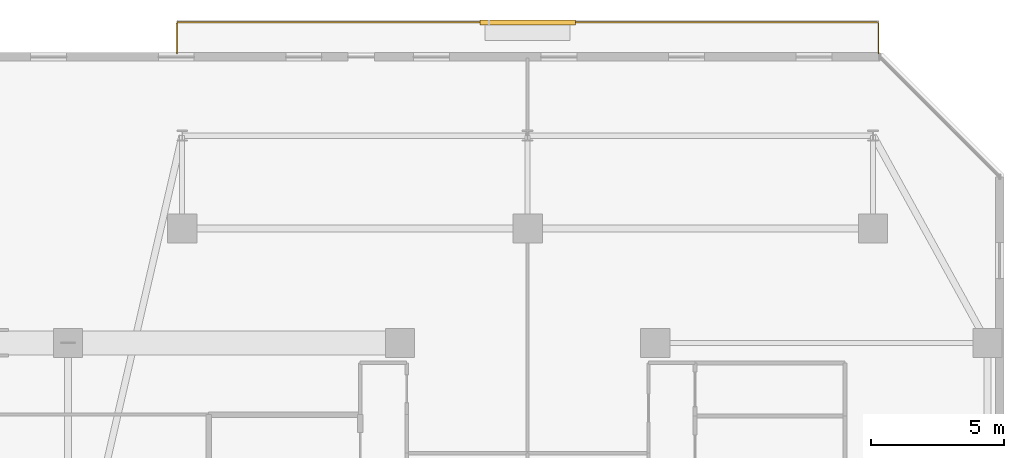
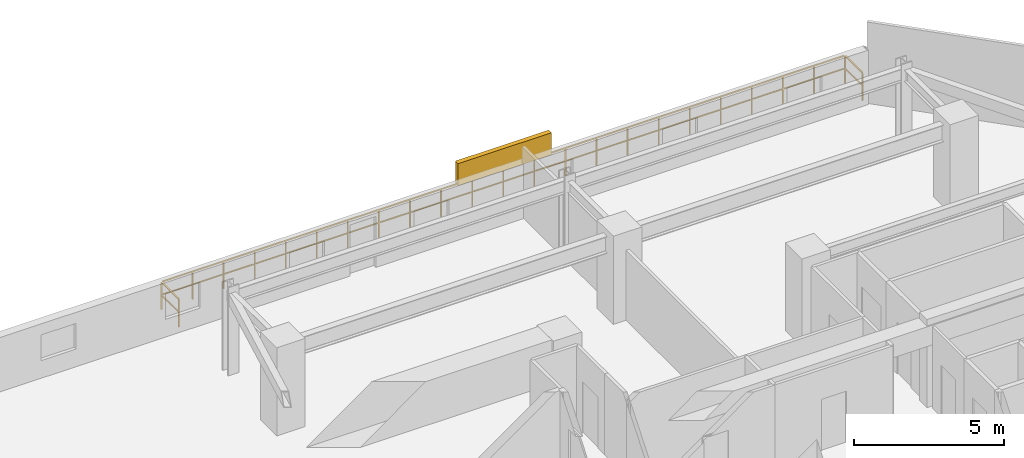
# One storey, part 36 of 36: 1 railing, 1 shading device.
"""IFC4 building model written with IfcOpenShell, lengths in metres."""

from ifc_helpers import new_model, si_unit, direction, frame, origin, origin_2d, place, context, subcontext, project, spatial, rectangle, extrude, material, type_object, element, save


model = new_model("IFC4")

# Units and contexts
model_context = context("Model", 3, precision=1e-05, world=origin(), true_north=direction((0.0, 1.0)))
body_context = subcontext(model_context, "Body", "Model", "MODEL_VIEW")
ifc_project = project(units=[si_unit("LENGTHUNIT", "METRE"), si_unit("AREAUNIT", "SQUARE_METRE"), si_unit("VOLUMEUNIT", "CUBIC_METRE"), si_unit("PLANEANGLEUNIT", "RADIAN"), si_unit("MASSUNIT", "GRAM", prefix="KILO")], contexts=[model_context])

# Site, building, storey
site_placement = place(None, origin())
site = spatial("IfcSite", under=ifc_project, at=site_placement, CompositionType="ELEMENT")
building_placement = place(site_placement, origin())
building = spatial("IfcBuilding", under=site, at=building_placement, Name="Thornwick Lancets Civic Towers", CompositionType="ELEMENT")
storey_placement = place(building_placement, frame((0.0, 0.0, 196.5)))
storey = spatial("IfcBuildingStorey", under=building, at=storey_placement, Name="L52", CompositionType="ELEMENT", Elevation=196.5)

# Railing
ifc_material_1 = material(Name="Terracotta-capped laminated glass balustrade S355", Category="masonry")
railing_type = type_object("IfcRailingType", Name="RAIL_TERR_GUARD", PredefinedType="GUARDRAIL", material=ifc_material_1)
railing_placement = place(storey_placement, frame((75.300048828125, 50.89990234375, 0.0)))
element("IfcRailing", 1, at=railing_placement, inside=storey, type_object=railing_type, Name="L52 Tower B Balcony Guard N", PredefinedType="GUARDRAIL", context=body_context, shape_type="SweptSolid", body=[
    extrude(rectangle(XDim=0.048095703125, YDim=0.048095703125, at=origin_2d()), frame((0.0, 0.0, 1.1259765625), z_axis=(0.0, 1.0, 0.0), x_axis=(-1.0, 0.0, 0.0)), (0.0, 0.0, 1.0), 1.138916015625),
    extrude(rectangle(XDim=0.0419921875, YDim=0.0419921875, at=origin_2d()), frame((0.0, 0.03759765625, 0.597900390625), z_axis=(0.0, 1.0, 0.0), x_axis=(-1.0, 0.0, 0.0)), (0.0, 0.0, 1.0), 1.09521484375),
    extrude(rectangle(XDim=0.048095703125, YDim=0.048095703125, at=origin_2d()), frame((0.03125, 1.170166015625, 1.1259765625), z_axis=(1.0, 0.0, 0.0), x_axis=(0.0, 1.0, 0.0)), (0.0, 0.0, 1.0), 26.33740234375),
    extrude(rectangle(XDim=0.0419921875, YDim=0.0419921875, at=origin_2d()), frame((0.03759765625, 1.170166015625, 0.597900390625), z_axis=(1.0, 0.0, 0.0), x_axis=(0.0, 1.0, 0.0)), (0.0, 0.0, 1.0), 1.125),
    extrude(rectangle(XDim=0.0419921875, YDim=0.0419921875, at=origin_2d()), frame((1.237548828125, 1.170166015625, 0.597900390625), z_axis=(1.0, 0.0, 0.0), x_axis=(0.0, 1.0, 0.0)), (0.0, 0.0, 1.0), 1.125),
    extrude(rectangle(XDim=0.0419921875, YDim=0.0419921875, at=origin_2d()), frame((2.4375, 1.170166015625, 0.597900390625), z_axis=(1.0, 0.0, 0.0), x_axis=(0.0, 1.0, 0.0)), (0.0, 0.0, 1.0), 1.125),
    extrude(rectangle(XDim=0.0419921875, YDim=0.0419921875, at=origin_2d()), frame((3.637451171875, 1.170166015625, 0.597900390625), z_axis=(1.0, 0.0, 0.0), x_axis=(0.0, 1.0, 0.0)), (0.0, 0.0, 1.0), 1.125),
    extrude(rectangle(XDim=0.0419921875, YDim=0.0419921875, at=origin_2d()), frame((4.83740234375, 1.170166015625, 0.597900390625), z_axis=(1.0, 0.0, 0.0), x_axis=(0.0, 1.0, 0.0)), (0.0, 0.0, 1.0), 1.125),
    extrude(rectangle(XDim=0.0419921875, YDim=0.0419921875, at=origin_2d()), frame((6.037353515625, 1.170166015625, 0.597900390625), z_axis=(1.0, 0.0, 0.0), x_axis=(0.0, 1.0, 0.0)), (0.0, 0.0, 1.0), 1.125),
    extrude(rectangle(XDim=0.0419921875, YDim=0.0419921875, at=origin_2d()), frame((7.237548828125, 1.170166015625, 0.597900390625), z_axis=(1.0, 0.0, 0.0), x_axis=(0.0, 1.0, 0.0)), (0.0, 0.0, 1.0), 1.125),
    extrude(rectangle(XDim=0.0419921875, YDim=0.0419921875, at=origin_2d()), frame((8.4375, 1.170166015625, 0.597900390625), z_axis=(1.0, 0.0, 0.0), x_axis=(0.0, 1.0, 0.0)), (0.0, 0.0, 1.0), 1.125),
    extrude(rectangle(XDim=0.0419921875, YDim=0.0419921875, at=origin_2d()), frame((9.637451171875, 1.170166015625, 0.597900390625), z_axis=(1.0, 0.0, 0.0), x_axis=(0.0, 1.0, 0.0)), (0.0, 0.0, 1.0), 1.125),
    extrude(rectangle(XDim=0.0419921875, YDim=0.0419921875, at=origin_2d()), frame((10.83740234375, 1.170166015625, 0.597900390625), z_axis=(1.0, 0.0, 0.0), x_axis=(0.0, 1.0, 0.0)), (0.0, 0.0, 1.0), 1.125),
    extrude(rectangle(XDim=0.0419921875, YDim=0.0419921875, at=origin_2d()), frame((12.037353515625, 1.170166015625, 0.597900390625), z_axis=(1.0, 0.0, 0.0), x_axis=(0.0, 1.0, 0.0)), (0.0, 0.0, 1.0), 1.125),
    extrude(rectangle(XDim=0.0419921875, YDim=0.0419921875, at=origin_2d()), frame((13.237548828125, 1.170166015625, 0.597900390625), z_axis=(1.0, 0.0, 0.0), x_axis=(0.0, 1.0, 0.0)), (0.0, 0.0, 1.0), 1.125),
    extrude(rectangle(XDim=0.0419921875, YDim=0.0419921875, at=origin_2d()), frame((14.4375, 1.170166015625, 0.597900390625), z_axis=(1.0, 0.0, 0.0), x_axis=(0.0, 1.0, 0.0)), (0.0, 0.0, 1.0), 1.125),
    extrude(rectangle(XDim=0.0419921875, YDim=0.0419921875, at=origin_2d()), frame((15.637451171875, 1.170166015625, 0.597900390625), z_axis=(1.0, 0.0, 0.0), x_axis=(0.0, 1.0, 0.0)), (0.0, 0.0, 1.0), 1.125),
    extrude(rectangle(XDim=0.0419921875, YDim=0.0419921875, at=origin_2d()), frame((16.83740234375, 1.170166015625, 0.597900390625), z_axis=(1.0, 0.0, 0.0), x_axis=(0.0, 1.0, 0.0)), (0.0, 0.0, 1.0), 1.125),
    extrude(rectangle(XDim=0.0419921875, YDim=0.0419921875, at=origin_2d()), frame((18.037353515625, 1.170166015625, 0.597900390625), z_axis=(1.0, 0.0, 0.0), x_axis=(0.0, 1.0, 0.0)), (0.0, 0.0, 1.0), 1.125),
    extrude(rectangle(XDim=0.0419921875, YDim=0.0419921875, at=origin_2d()), frame((19.2373046875, 1.170166015625, 0.597900390625), z_axis=(1.0, 0.0, 0.0), x_axis=(0.0, 1.0, 0.0)), (0.0, 0.0, 1.0), 1.125),
    extrude(rectangle(XDim=0.0419921875, YDim=0.0419921875, at=origin_2d()), frame((20.4375, 1.170166015625, 0.597900390625), z_axis=(1.0, 0.0, 0.0), x_axis=(0.0, 1.0, 0.0)), (0.0, 0.0, 1.0), 1.125),
    extrude(rectangle(XDim=0.0419921875, YDim=0.0419921875, at=origin_2d()), frame((21.637451171875, 1.170166015625, 0.597900390625), z_axis=(1.0, 0.0, 0.0), x_axis=(0.0, 1.0, 0.0)), (0.0, 0.0, 1.0), 1.125),
    extrude(rectangle(XDim=0.0419921875, YDim=0.0419921875, at=origin_2d()), frame((22.83740234375, 1.170166015625, 0.597900390625), z_axis=(1.0, 0.0, 0.0), x_axis=(0.0, 1.0, 0.0)), (0.0, 0.0, 1.0), 1.125),
    extrude(rectangle(XDim=0.0419921875, YDim=0.0419921875, at=origin_2d()), frame((24.037353515625, 1.170166015625, 0.597900390625), z_axis=(1.0, 0.0, 0.0), x_axis=(0.0, 1.0, 0.0)), (0.0, 0.0, 1.0), 1.125),
    extrude(rectangle(XDim=0.0419921875, YDim=0.0419921875, at=origin_2d()), frame((25.2373046875, 1.170166015625, 0.597900390625), z_axis=(1.0, 0.0, 0.0), x_axis=(0.0, 1.0, 0.0)), (0.0, 0.0, 1.0), 1.125),
    extrude(rectangle(XDim=0.048095703125, YDim=0.048095703125, at=origin_2d()), frame((26.39990234375, 1.138916015625, 1.1259765625), z_axis=(0.0, -1.0, 0.0), x_axis=(1.0, 0.0, 0.0)), (0.0, 0.0, 1.0), 1.138916015625),
    extrude(rectangle(XDim=0.0419921875, YDim=0.0419921875, at=origin_2d()), frame((26.39990234375, 1.132568359375, 0.597900390625), z_axis=(0.0, -1.0, 0.0), x_axis=(1.0, 0.0, 0.0)), (0.0, 0.0, 1.0), 1.09521484375),
    extrude(rectangle(XDim=0.0419921875, YDim=0.0419921875, at=origin_2d()), origin(), (0.0, 0.0, 1.0), 1.095703125),
    extrude(rectangle(XDim=0.0419921875, YDim=0.0419921875, at=origin_2d()), frame((0.0, 1.170166015625, 0.0)), (0.0, 0.0, 1.0), 1.095703125),
    extrude(rectangle(XDim=0.0419921875, YDim=0.0419921875, at=origin_2d()), frame((1.199951171875, 1.170166015625, 0.0)), (0.0, 0.0, 1.0), 1.095703125),
    extrude(rectangle(XDim=0.0419921875, YDim=0.0419921875, at=origin_2d()), frame((2.39990234375, 1.170166015625, 0.0)), (0.0, 0.0, 1.0), 1.095703125),
    extrude(rectangle(XDim=0.0419921875, YDim=0.0419921875, at=origin_2d()), frame((3.60009765625, 1.170166015625, 0.0)), (0.0, 0.0, 1.0), 1.095703125),
    extrude(rectangle(XDim=0.0419921875, YDim=0.0419921875, at=origin_2d()), frame((4.800048828125, 1.170166015625, 0.0)), (0.0, 0.0, 1.0), 1.095703125),
    extrude(rectangle(XDim=0.0419921875, YDim=0.0419921875, at=origin_2d()), frame((6.0, 1.170166015625, 0.0)), (0.0, 0.0, 1.0), 1.095703125),
    extrude(rectangle(XDim=0.0419921875, YDim=0.0419921875, at=origin_2d()), frame((7.199951171875, 1.170166015625, 0.0)), (0.0, 0.0, 1.0), 1.095703125),
    extrude(rectangle(XDim=0.0419921875, YDim=0.0419921875, at=origin_2d()), frame((8.39990234375, 1.170166015625, 0.0)), (0.0, 0.0, 1.0), 1.095703125),
    extrude(rectangle(XDim=0.0419921875, YDim=0.0419921875, at=origin_2d()), frame((9.599853515625, 1.170166015625, 0.0)), (0.0, 0.0, 1.0), 1.095703125),
    extrude(rectangle(XDim=0.0419921875, YDim=0.0419921875, at=origin_2d()), frame((10.800048828125, 1.170166015625, 0.0)), (0.0, 0.0, 1.0), 1.095703125),
    extrude(rectangle(XDim=0.0419921875, YDim=0.0419921875, at=origin_2d()), frame((12.0, 1.170166015625, 0.0)), (0.0, 0.0, 1.0), 1.095703125),
    extrude(rectangle(XDim=0.0419921875, YDim=0.0419921875, at=origin_2d()), frame((13.199951171875, 1.170166015625, 0.0)), (0.0, 0.0, 1.0), 1.095703125),
    extrude(rectangle(XDim=0.0419921875, YDim=0.0419921875, at=origin_2d()), frame((14.39990234375, 1.170166015625, 0.0)), (0.0, 0.0, 1.0), 1.095703125),
    extrude(rectangle(XDim=0.0419921875, YDim=0.0419921875, at=origin_2d()), frame((15.599853515625, 1.170166015625, 0.0)), (0.0, 0.0, 1.0), 1.095703125),
    extrude(rectangle(XDim=0.0419921875, YDim=0.0419921875, at=origin_2d()), frame((16.800048828125, 1.170166015625, 0.0)), (0.0, 0.0, 1.0), 1.095703125),
    extrude(rectangle(XDim=0.0419921875, YDim=0.0419921875, at=origin_2d()), frame((18.0, 1.170166015625, 0.0)), (0.0, 0.0, 1.0), 1.095703125),
    extrude(rectangle(XDim=0.0419921875, YDim=0.0419921875, at=origin_2d()), frame((19.199951171875, 1.170166015625, 0.0)), (0.0, 0.0, 1.0), 1.095703125),
    extrude(rectangle(XDim=0.0419921875, YDim=0.0419921875, at=origin_2d()), frame((20.39990234375, 1.170166015625, 0.0)), (0.0, 0.0, 1.0), 1.095703125),
    extrude(rectangle(XDim=0.0419921875, YDim=0.0419921875, at=origin_2d()), frame((21.599853515625, 1.170166015625, 0.0)), (0.0, 0.0, 1.0), 1.095703125),
    extrude(rectangle(XDim=0.0419921875, YDim=0.0419921875, at=origin_2d()), frame((22.7998046875, 1.170166015625, 0.0)), (0.0, 0.0, 1.0), 1.095703125),
    extrude(rectangle(XDim=0.0419921875, YDim=0.0419921875, at=origin_2d()), frame((24.0, 1.170166015625, 0.0)), (0.0, 0.0, 1.0), 1.095703125),
    extrude(rectangle(XDim=0.0419921875, YDim=0.0419921875, at=origin_2d()), frame((25.199951171875, 1.170166015625, 0.0)), (0.0, 0.0, 1.0), 1.095703125),
    extrude(rectangle(XDim=0.0419921875, YDim=0.0419921875, at=origin_2d()), frame((26.39990234375, 1.170166015625, 0.0)), (0.0, 0.0, 1.0), 1.095703125),
    extrude(rectangle(XDim=0.0419921875, YDim=0.0419921875, at=origin_2d()), frame((26.39990234375, 0.0, 0.0)), (0.0, 0.0, 1.0), 1.095703125),
])

# Shading device
ifc_material_2 = material(Name="Extruded terracotta baguette solar screen", Category="masonry")
shading_device_type = type_object("IfcShadingDeviceType", Name="SHADE_BAGUETTE", PredefinedType="JALOUSIE", material=ifc_material_2)
shading_device_placement = place(storey_placement, frame((88.5, 52.06005859375, 1.1201171875), z_axis=(0.0, 0.0, 1.0), x_axis=(1.0, 0.0, 0.0)))
element("IfcShadingDevice", 2, at=shading_device_placement, inside=storey, type_object=shading_device_type, Name="L52 Tower B Terracotta Baguette Screen N", PredefinedType="JALOUSIE", context=body_context, shape_type="SweptSolid", body=[
    extrude(rectangle(XDim=3.60009765625, YDim=0.179931640625, at=origin_2d()), origin(), (0.0, 0.0, 1.0), 0.89990234375),
])

save(model, "model.ifc")
